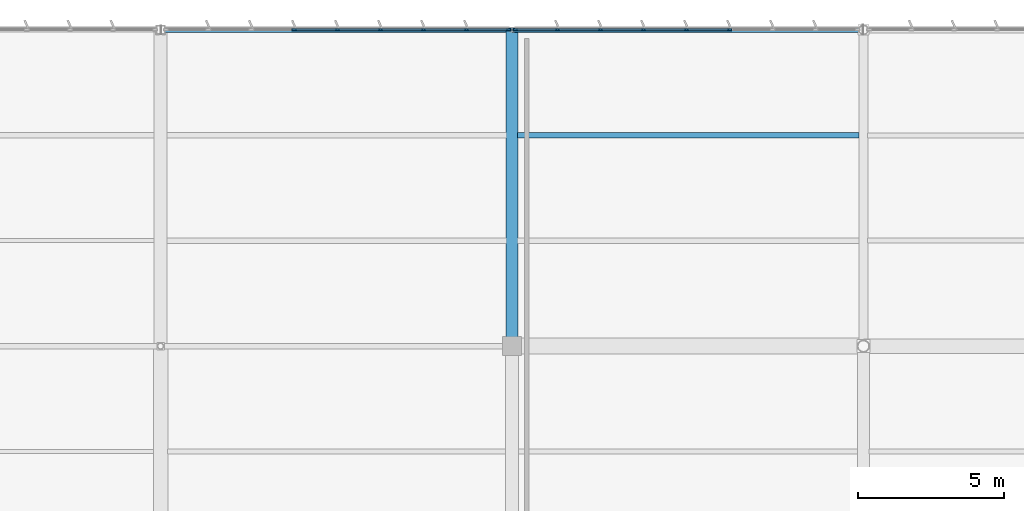
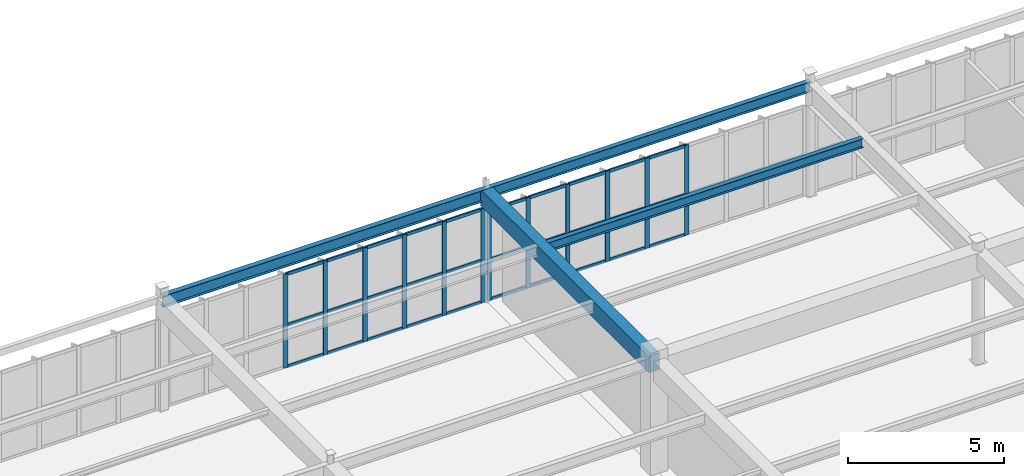
# One storey, part 131 of 226: 42 members, 4 beams, 2 elements without a shape of their own.
"""IFC4 building model written with IfcOpenShell, lengths in metres."""

from ifc_helpers import new_model, si_unit, direction, frame, origin, origin_2d, place, context, subcontext, project, spatial, rectangle, i_section, extrude, material, layer, layer_set, material_profile, profile_set, type_object, element, aggregate, save


model = new_model("IFC4")

# Units and contexts
model_context = context("Model", 3, precision=1e-05, world=origin(), true_north=direction((0.0, 1.0)))
body_context = subcontext(model_context, "Body", "Model", "MODEL_VIEW")
ifc_project = project(units=[si_unit("LENGTHUNIT", "METRE"), si_unit("AREAUNIT", "SQUARE_METRE"), si_unit("VOLUMEUNIT", "CUBIC_METRE"), si_unit("PLANEANGLEUNIT", "RADIAN"), si_unit("MASSUNIT", "GRAM", prefix="KILO")], contexts=[model_context])

# Site, building, storey
site_placement = place(None, origin())
site = spatial("IfcSite", under=ifc_project, at=site_placement, CompositionType="ELEMENT")
building_placement = place(site_placement, origin())
building = spatial("IfcBuilding", under=site, at=building_placement, Name="Tarnwether General Hospital", CompositionType="ELEMENT")
storey_placement = place(building_placement, frame((0.0, 0.0, 4.800048828125)))
storey = spatial("IfcBuildingStorey", under=building, at=storey_placement, Name="L01", CompositionType="ELEMENT", Elevation=4.800048828125)

# Beams
ifc_material_1 = material(Name="Concrete 40 MPa", Category="concrete")
ifc_material_profile_1 = material_profile(ifc_material_1, rectangle(XDim=0.39990234375, YDim=0.64990234375, at=origin_2d()), Name="RC-BM-400x650")
ifc_profile_set_1 = profile_set([ifc_material_profile_1], Name="Concrete 40 MPa")
beam_type_1 = type_object("IfcBeamType", Name="BM-G14", PredefinedType="BEAM", material=ifc_profile_set_1)
beam_1_placement = place(storey_placement, frame((168.0, 115.199951171875, 4.119873046875), z_axis=(0.0, 1.0, 0.0), x_axis=(-1.0, 0.0, 0.0)))
element("IfcBeam", 1, at=beam_1_placement, inside=storey, type_object=beam_type_1, Name="Primary Girder BMG-L01-16800_11520-16800_12600-1263", PredefinedType="BEAM", context=body_context, shape_type="SweptSolid", body=[
    extrude(rectangle(XDim=0.39990234375, YDim=0.64990234375, at=origin_2d()), origin(), (0.0, 0.0, 1.0), 10.800048828125),
])
ifc_material_2 = material(Name="Steel Grade 350 (350 MPa)", Category="steel")
ifc_material_profile_2 = material_profile(ifc_material_2, i_section(OverallWidth=0.172119140625, OverallDepth=0.35888671875, WebThickness=0.008056640625, FlangeThickness=0.012939453125, at=origin_2d()), Name="360UB56.7")
ifc_profile_set_2 = profile_set([ifc_material_profile_2], Name="Steel Grade 350 (350 MPa)")
beam_type_2 = type_object("IfcBeamType", Name="BM-J03", PredefinedType="JOIST", material=ifc_profile_set_2)
beam_2_placement = place(storey_placement, frame((168.194091796875, 122.39990234375, 4.265380859375), z_axis=(1.0, 0.0, 0.0), x_axis=(0.0, 1.0, 0.0)))
element("IfcBeam", 2, at=beam_2_placement, inside=storey, type_object=beam_type_2, Name="Composite Floor Joist BMG-L01-16819_12240-17986_12240-1424", PredefinedType="JOIST", context=body_context, shape_type="SweptSolid", body=[
    extrude(i_section(OverallWidth=0.172119140625, OverallDepth=0.35888671875, WebThickness=0.008056640625, FlangeThickness=0.012939453125, at=origin_2d()), origin(), (0.0, 0.0, 1.0), 11.661865234375),
])
ifc_material_3 = material(Name="Steel Grade 350 (350 MPa)", Category="steel")
ifc_material_profile_3 = material_profile(ifc_material_3, i_section(OverallWidth=0.18994140625, OverallDepth=0.4541015625, WebThickness=0.008544921875, FlangeThickness=0.0126953125, at=origin_2d()), Name="460UB67.1")
ifc_profile_set_3 = profile_set([ifc_material_profile_3], Name="Steel Grade 350 (350 MPa)")
beam_type_3 = type_object("IfcBeamType", Name="BM-SP1", PredefinedType="SPANDREL", material=ifc_profile_set_3)
beam_3_placement = place(storey_placement, frame((156.0, 126.0, 4.218017578125), z_axis=(1.0, 0.0, 0.0), x_axis=(0.0, 1.0, 0.0)))
element("IfcBeam", 3, at=beam_3_placement, inside=storey, type_object=beam_type_3, Name="Primary Girder BMG-L01-15600_12600-16800_12600-1248", PredefinedType="SPANDREL", context=body_context, shape_type="SweptSolid", body=[
    extrude(i_section(OverallWidth=0.18994140625, OverallDepth=0.4541015625, WebThickness=0.008544921875, FlangeThickness=0.0126953125, at=origin_2d()), origin(), (0.0, 0.0, 1.0), 12.0),
])
ifc_material_4 = material(Name="Steel Grade 350 (350 MPa)", Category="steel")
ifc_material_profile_4 = material_profile(ifc_material_4, i_section(OverallWidth=0.177978515625, OverallDepth=0.403076171875, WebThickness=0.007568359375, FlangeThickness=0.010986328125, at=origin_2d()), Name="410UB53.7")
ifc_profile_set_4 = profile_set([ifc_material_profile_4], Name="Steel Grade 350 (350 MPa)")
beam_type_4 = type_object("IfcBeamType", Name="BM-SP2", PredefinedType="SPANDREL", material=ifc_profile_set_4)
beam_4_placement = place(storey_placement, frame((168.0, 126.0, 4.243408203125), z_axis=(1.0, 0.0, 0.0), x_axis=(0.0, 1.0, 0.0)))
element("IfcBeam", 4, at=beam_4_placement, inside=storey, type_object=beam_type_4, Name="Primary Girder BMG-L01-16800_12600-18000_12600-1264", PredefinedType="SPANDREL", context=body_context, shape_type="SweptSolid", body=[
    extrude(i_section(OverallWidth=0.177978515625, OverallDepth=0.403076171875, WebThickness=0.007568359375, FlangeThickness=0.010986328125, at=origin_2d()), origin(), (0.0, 0.0, 1.0), 12.0),
])

# Curtain wall, members
ifc_material_5 = material(Name="Anodised aluminium", Category="aluminium")
ifc_layer = layer(ifc_material_5, 0.159912109375)
ifc_layer_set = layer_set([ifc_layer], Name="Anodised aluminium")
curtain_wall_type = type_object("IfcCurtainWallType", Name="CW-16", PredefinedType="NOTDEFINED", material=ifc_layer_set)
curtain_wall_1_placement = place(storey_placement, origin())
curtain_wall_1 = element("IfcCurtainWall", 5, at=curtain_wall_1_placement, inside=storey, type_object=curtain_wall_type, Name="Curtain Wall CWG-L01-1562_1260-0390", PredefinedType="NOTDEFINED")
ifc_material_6 = material(Name="Anodised aluminium", Category="aluminium")
ifc_material_profile_5 = material_profile(ifc_material_6, rectangle(XDim=0.06005859375, YDim=0.159912109375, at=origin_2d()), Name="ALU-MUL-60x160")
ifc_profile_set_5 = profile_set([ifc_material_profile_5], Name="Anodised aluminium")
member_type_1 = type_object("IfcMemberType", Name="CW-ML1", PredefinedType="MULLION", material=ifc_profile_set_5)
member_1_placement = place(storey_placement, frame((160.56689453125, 126.0, 0.0), z_axis=(0.0, 0.0, 1.0), x_axis=(0.0, 1.0, 0.0)))
member_1 = element("IfcMember", 6, at=member_1_placement, type_object=member_type_1, Name="CW-16 mullion 4", PredefinedType="MULLION", context=body_context, shape_type="SweptSolid", body=[
    extrude(rectangle(XDim=0.06005859375, YDim=0.159912109375, at=origin_2d()), origin(), (0.0, 0.0, 1.0), 3.679931640625),
])
member_2_placement = place(storey_placement, frame((162.03662109375, 126.0, 0.0), z_axis=(0.0, 0.0, 1.0), x_axis=(0.0, 1.0, 0.0)))
member_2 = element("IfcMember", 7, at=member_2_placement, type_object=member_type_1, Name="CW-16 mullion 5", PredefinedType="MULLION", context=body_context, shape_type="SweptSolid", body=[
    extrude(rectangle(XDim=0.06005859375, YDim=0.159912109375, at=origin_2d()), origin(), (0.0, 0.0, 1.0), 3.679931640625),
])
member_3_placement = place(storey_placement, frame((163.506103515625, 126.0, 0.0), z_axis=(0.0, 0.0, 1.0), x_axis=(0.0, 1.0, 0.0)))
member_3 = element("IfcMember", 8, at=member_3_placement, type_object=member_type_1, Name="CW-16 mullion 6", PredefinedType="MULLION", context=body_context, shape_type="SweptSolid", body=[
    extrude(rectangle(XDim=0.06005859375, YDim=0.159912109375, at=origin_2d()), origin(), (0.0, 0.0, 1.0), 3.679931640625),
])
member_4_placement = place(storey_placement, frame((164.975830078125, 126.0, 0.0), z_axis=(0.0, 0.0, 1.0), x_axis=(0.0, 1.0, 0.0)))
member_4 = element("IfcMember", 9, at=member_4_placement, type_object=member_type_1, Name="CW-16 mullion 7", PredefinedType="MULLION", context=body_context, shape_type="SweptSolid", body=[
    extrude(rectangle(XDim=0.06005859375, YDim=0.159912109375, at=origin_2d()), origin(), (0.0, 0.0, 1.0), 3.679931640625),
])
member_5_placement = place(storey_placement, frame((166.4453125, 126.0, 0.0), z_axis=(0.0, 0.0, 1.0), x_axis=(0.0, 1.0, 0.0)))
member_5 = element("IfcMember", 10, at=member_5_placement, type_object=member_type_1, Name="CW-16 mullion 8", PredefinedType="MULLION", context=body_context, shape_type="SweptSolid", body=[
    extrude(rectangle(XDim=0.06005859375, YDim=0.159912109375, at=origin_2d()), origin(), (0.0, 0.0, 1.0), 3.679931640625),
])
member_6_placement = place(storey_placement, frame((167.885009765625, 126.0, 0.0), z_axis=(0.0, 0.0, 1.0), x_axis=(0.0, 1.0, 0.0)))
member_6 = element("IfcMember", 11, at=member_6_placement, type_object=member_type_1, Name="CW-16 mullion 9", PredefinedType="MULLION", context=body_context, shape_type="SweptSolid", body=[
    extrude(rectangle(XDim=0.06005859375, YDim=0.159912109375, at=origin_2d()), origin(), (0.0, 0.0, 1.0), 3.679931640625),
])

curtain_wall_2_placement = place(storey_placement, origin())
curtain_wall_2 = element("IfcCurtainWall", 12, at=curtain_wall_2_placement, inside=storey, type_object=curtain_wall_type, Name="Curtain Wall CWG-L01-1681_1260-0391", PredefinedType="NOTDEFINED")
member_7_placement = place(storey_placement, frame((168.114990234375, 126.0, 0.0), z_axis=(0.0, 0.0, 1.0), x_axis=(0.0, 1.0, 0.0)))
member_7 = element("IfcMember", 13, at=member_7_placement, type_object=member_type_1, Name="CW-16 mullion 1", PredefinedType="MULLION", context=body_context, shape_type="SweptSolid", body=[
    extrude(rectangle(XDim=0.06005859375, YDim=0.159912109375, at=origin_2d()), origin(), (0.0, 0.0, 1.0), 3.530029296875),
])
member_8_placement = place(storey_placement, frame((169.55322265625, 126.0, 0.0), z_axis=(0.0, 0.0, 1.0), x_axis=(0.0, 1.0, 0.0)))
member_8 = element("IfcMember", 14, at=member_8_placement, type_object=member_type_1, Name="CW-16 mullion 2", PredefinedType="MULLION", context=body_context, shape_type="SweptSolid", body=[
    extrude(rectangle(XDim=0.06005859375, YDim=0.159912109375, at=origin_2d()), origin(), (0.0, 0.0, 1.0), 3.530029296875),
])
member_9_placement = place(storey_placement, frame((171.021240234375, 126.0, 0.0), z_axis=(0.0, 0.0, 1.0), x_axis=(0.0, 1.0, 0.0)))
member_9 = element("IfcMember", 15, at=member_9_placement, type_object=member_type_1, Name="CW-16 mullion 3", PredefinedType="MULLION", context=body_context, shape_type="SweptSolid", body=[
    extrude(rectangle(XDim=0.06005859375, YDim=0.159912109375, at=origin_2d()), origin(), (0.0, 0.0, 1.0), 3.530029296875),
])
member_10_placement = place(storey_placement, frame((172.4892578125, 126.0, 0.0), z_axis=(0.0, 0.0, 1.0), x_axis=(0.0, 1.0, 0.0)))
member_10 = element("IfcMember", 16, at=member_10_placement, type_object=member_type_1, Name="CW-16 mullion 4", PredefinedType="MULLION", context=body_context, shape_type="SweptSolid", body=[
    extrude(rectangle(XDim=0.06005859375, YDim=0.159912109375, at=origin_2d()), origin(), (0.0, 0.0, 1.0), 3.530029296875),
])
member_11_placement = place(storey_placement, frame((173.95751953125, 126.0, 0.0), z_axis=(0.0, 0.0, 1.0), x_axis=(0.0, 1.0, 0.0)))
member_11 = element("IfcMember", 17, at=member_11_placement, type_object=member_type_1, Name="CW-16 mullion 5", PredefinedType="MULLION", context=body_context, shape_type="SweptSolid", body=[
    extrude(rectangle(XDim=0.06005859375, YDim=0.159912109375, at=origin_2d()), origin(), (0.0, 0.0, 1.0), 3.530029296875),
])
member_12_placement = place(storey_placement, frame((175.425537109375, 126.0, 0.0), z_axis=(0.0, 0.0, 1.0), x_axis=(0.0, 1.0, 0.0)))
member_12 = element("IfcMember", 18, at=member_12_placement, type_object=member_type_1, Name="CW-16 mullion 6", PredefinedType="MULLION", context=body_context, shape_type="SweptSolid", body=[
    extrude(rectangle(XDim=0.06005859375, YDim=0.159912109375, at=origin_2d()), origin(), (0.0, 0.0, 1.0), 3.530029296875),
])

# Member
ifc_material_7 = material(Name="Anodised aluminium", Category="aluminium")
ifc_material_profile_6 = material_profile(ifc_material_7, rectangle(XDim=0.06005859375, YDim=0.1201171875, at=origin_2d()), Name="ALU-TRN-60x120")
ifc_profile_set_6 = profile_set([ifc_material_profile_6], Name="Anodised aluminium")
member_type_2 = type_object("IfcMemberType", Name="CW-TR1", PredefinedType="USERDEFINED", material=ifc_profile_set_6)
member_13_placement = place(storey_placement, frame((160.596923828125, 126.0, 0.030029296875), z_axis=(1.0, 0.0, 0.0), x_axis=(0.0, 1.0, 0.0)))
member_13 = element("IfcMember", 19, at=member_13_placement, type_object=member_type_2, Name="CW-16 transom 4.1", ObjectType="TRANSOM", PredefinedType="USERDEFINED", context=body_context, shape_type="SweptSolid", body=[
    extrude(rectangle(XDim=0.06005859375, YDim=0.1201171875, at=origin_2d()), origin(), (0.0, 0.0, 1.0), 1.40966796875),
])

member_14_placement = place(storey_placement, frame((160.596923828125, 126.0, 1.656005859375), z_axis=(1.0, 0.0, 0.0), x_axis=(0.0, 1.0, 0.0)))
member_14 = element("IfcMember", 20, at=member_14_placement, type_object=member_type_2, Name="CW-16 transom 4.2", ObjectType="TRANSOM", PredefinedType="USERDEFINED", context=body_context, shape_type="SweptSolid", body=[
    extrude(rectangle(XDim=0.06005859375, YDim=0.1201171875, at=origin_2d()), origin(), (0.0, 0.0, 1.0), 1.40966796875),
])

member_15_placement = place(storey_placement, frame((160.596923828125, 126.0, 3.64990234375), z_axis=(1.0, 0.0, 0.0), x_axis=(0.0, 1.0, 0.0)))
member_15 = element("IfcMember", 21, at=member_15_placement, type_object=member_type_2, Name="CW-16 transom 4.3", ObjectType="TRANSOM", PredefinedType="USERDEFINED", context=body_context, shape_type="SweptSolid", body=[
    extrude(rectangle(XDim=0.06005859375, YDim=0.1201171875, at=origin_2d()), origin(), (0.0, 0.0, 1.0), 1.40966796875),
])

member_16_placement = place(storey_placement, frame((162.06640625, 126.0, 0.030029296875), z_axis=(1.0, 0.0, 0.0), x_axis=(0.0, 1.0, 0.0)))
member_16 = element("IfcMember", 22, at=member_16_placement, type_object=member_type_2, Name="CW-16 transom 5.1", ObjectType="TRANSOM", PredefinedType="USERDEFINED", context=body_context, shape_type="SweptSolid", body=[
    extrude(rectangle(XDim=0.06005859375, YDim=0.1201171875, at=origin_2d()), origin(), (0.0, 0.0, 1.0), 1.40966796875),
])

member_17_placement = place(storey_placement, frame((162.06640625, 126.0, 1.656005859375), z_axis=(1.0, 0.0, 0.0), x_axis=(0.0, 1.0, 0.0)))
member_17 = element("IfcMember", 23, at=member_17_placement, type_object=member_type_2, Name="CW-16 transom 5.2", ObjectType="TRANSOM", PredefinedType="USERDEFINED", context=body_context, shape_type="SweptSolid", body=[
    extrude(rectangle(XDim=0.06005859375, YDim=0.1201171875, at=origin_2d()), origin(), (0.0, 0.0, 1.0), 1.40966796875),
])

member_18_placement = place(storey_placement, frame((162.06640625, 126.0, 3.64990234375), z_axis=(1.0, 0.0, 0.0), x_axis=(0.0, 1.0, 0.0)))
member_18 = element("IfcMember", 24, at=member_18_placement, type_object=member_type_2, Name="CW-16 transom 5.3", ObjectType="TRANSOM", PredefinedType="USERDEFINED", context=body_context, shape_type="SweptSolid", body=[
    extrude(rectangle(XDim=0.06005859375, YDim=0.1201171875, at=origin_2d()), origin(), (0.0, 0.0, 1.0), 1.40966796875),
])

member_19_placement = place(storey_placement, frame((163.5361328125, 126.0, 0.030029296875), z_axis=(1.0, 0.0, 0.0), x_axis=(0.0, 1.0, 0.0)))
member_19 = element("IfcMember", 25, at=member_19_placement, type_object=member_type_2, Name="CW-16 transom 6.1", ObjectType="TRANSOM", PredefinedType="USERDEFINED", context=body_context, shape_type="SweptSolid", body=[
    extrude(rectangle(XDim=0.06005859375, YDim=0.1201171875, at=origin_2d()), origin(), (0.0, 0.0, 1.0), 1.40966796875),
])

member_20_placement = place(storey_placement, frame((163.5361328125, 126.0, 1.656005859375), z_axis=(1.0, 0.0, 0.0), x_axis=(0.0, 1.0, 0.0)))
member_20 = element("IfcMember", 26, at=member_20_placement, type_object=member_type_2, Name="CW-16 transom 6.2", ObjectType="TRANSOM", PredefinedType="USERDEFINED", context=body_context, shape_type="SweptSolid", body=[
    extrude(rectangle(XDim=0.06005859375, YDim=0.1201171875, at=origin_2d()), origin(), (0.0, 0.0, 1.0), 1.40966796875),
])

member_21_placement = place(storey_placement, frame((163.5361328125, 126.0, 3.64990234375), z_axis=(1.0, 0.0, 0.0), x_axis=(0.0, 1.0, 0.0)))
member_21 = element("IfcMember", 27, at=member_21_placement, type_object=member_type_2, Name="CW-16 transom 6.3", ObjectType="TRANSOM", PredefinedType="USERDEFINED", context=body_context, shape_type="SweptSolid", body=[
    extrude(rectangle(XDim=0.06005859375, YDim=0.1201171875, at=origin_2d()), origin(), (0.0, 0.0, 1.0), 1.40966796875),
])

member_22_placement = place(storey_placement, frame((165.005859375, 126.0, 0.030029296875), z_axis=(1.0, 0.0, 0.0), x_axis=(0.0, 1.0, 0.0)))
member_22 = element("IfcMember", 28, at=member_22_placement, type_object=member_type_2, Name="CW-16 transom 7.1", ObjectType="TRANSOM", PredefinedType="USERDEFINED", context=body_context, shape_type="SweptSolid", body=[
    extrude(rectangle(XDim=0.06005859375, YDim=0.1201171875, at=origin_2d()), origin(), (0.0, 0.0, 1.0), 1.409423828125),
])

member_23_placement = place(storey_placement, frame((165.005859375, 126.0, 1.656005859375), z_axis=(1.0, 0.0, 0.0), x_axis=(0.0, 1.0, 0.0)))
member_23 = element("IfcMember", 29, at=member_23_placement, type_object=member_type_2, Name="CW-16 transom 7.2", ObjectType="TRANSOM", PredefinedType="USERDEFINED", context=body_context, shape_type="SweptSolid", body=[
    extrude(rectangle(XDim=0.06005859375, YDim=0.1201171875, at=origin_2d()), origin(), (0.0, 0.0, 1.0), 1.409423828125),
])

member_24_placement = place(storey_placement, frame((165.005859375, 126.0, 3.64990234375), z_axis=(1.0, 0.0, 0.0), x_axis=(0.0, 1.0, 0.0)))
member_24 = element("IfcMember", 30, at=member_24_placement, type_object=member_type_2, Name="CW-16 transom 7.3", ObjectType="TRANSOM", PredefinedType="USERDEFINED", context=body_context, shape_type="SweptSolid", body=[
    extrude(rectangle(XDim=0.06005859375, YDim=0.1201171875, at=origin_2d()), origin(), (0.0, 0.0, 1.0), 1.409423828125),
])

member_25_placement = place(storey_placement, frame((166.475341796875, 126.0, 0.030029296875), z_axis=(1.0, 0.0, 0.0), x_axis=(0.0, 1.0, 0.0)))
member_25 = element("IfcMember", 31, at=member_25_placement, type_object=member_type_2, Name="CW-16 transom 8.1", ObjectType="TRANSOM", PredefinedType="USERDEFINED", context=body_context, shape_type="SweptSolid", body=[
    extrude(rectangle(XDim=0.06005859375, YDim=0.1201171875, at=origin_2d()), origin(), (0.0, 0.0, 1.0), 1.379638671875),
])

member_26_placement = place(storey_placement, frame((166.475341796875, 126.0, 1.656005859375), z_axis=(1.0, 0.0, 0.0), x_axis=(0.0, 1.0, 0.0)))
member_26 = element("IfcMember", 32, at=member_26_placement, type_object=member_type_2, Name="CW-16 transom 8.2", ObjectType="TRANSOM", PredefinedType="USERDEFINED", context=body_context, shape_type="SweptSolid", body=[
    extrude(rectangle(XDim=0.06005859375, YDim=0.1201171875, at=origin_2d()), origin(), (0.0, 0.0, 1.0), 1.379638671875),
])

member_27_placement = place(storey_placement, frame((166.475341796875, 126.0, 3.64990234375), z_axis=(1.0, 0.0, 0.0), x_axis=(0.0, 1.0, 0.0)))
member_27 = element("IfcMember", 33, at=member_27_placement, type_object=member_type_2, Name="CW-16 transom 8.3", ObjectType="TRANSOM", PredefinedType="USERDEFINED", context=body_context, shape_type="SweptSolid", body=[
    extrude(rectangle(XDim=0.06005859375, YDim=0.1201171875, at=origin_2d()), origin(), (0.0, 0.0, 1.0), 1.379638671875),
])

aggregate(curtain_wall_1, [member_1, member_2, member_3, member_4, member_5, member_6, member_13, member_14, member_15, member_16, member_17, member_18, member_19, member_20, member_21, member_22, member_23, member_24, member_25, member_26, member_27])

member_28_placement = place(storey_placement, frame((168.14501953125, 126.0, 0.030029296875), z_axis=(1.0, 0.0, 0.0), x_axis=(0.0, 1.0, 0.0)))
member_28 = element("IfcMember", 34, at=member_28_placement, type_object=member_type_2, Name="CW-16 transom 1.1", ObjectType="TRANSOM", PredefinedType="USERDEFINED", context=body_context, shape_type="SweptSolid", body=[
    extrude(rectangle(XDim=0.06005859375, YDim=0.1201171875, at=origin_2d()), origin(), (0.0, 0.0, 1.0), 1.378173828125),
])

member_29_placement = place(storey_placement, frame((168.14501953125, 126.0, 1.58837890625), z_axis=(1.0, 0.0, 0.0), x_axis=(0.0, 1.0, 0.0)))
member_29 = element("IfcMember", 35, at=member_29_placement, type_object=member_type_2, Name="CW-16 transom 1.2", ObjectType="TRANSOM", PredefinedType="USERDEFINED", context=body_context, shape_type="SweptSolid", body=[
    extrude(rectangle(XDim=0.06005859375, YDim=0.1201171875, at=origin_2d()), origin(), (0.0, 0.0, 1.0), 1.378173828125),
])

member_30_placement = place(storey_placement, frame((168.14501953125, 126.0, 3.5), z_axis=(1.0, 0.0, 0.0), x_axis=(0.0, 1.0, 0.0)))
member_30 = element("IfcMember", 36, at=member_30_placement, type_object=member_type_2, Name="CW-16 transom 1.3", ObjectType="TRANSOM", PredefinedType="USERDEFINED", context=body_context, shape_type="SweptSolid", body=[
    extrude(rectangle(XDim=0.06005859375, YDim=0.1201171875, at=origin_2d()), origin(), (0.0, 0.0, 1.0), 1.378173828125),
])

member_31_placement = place(storey_placement, frame((169.5830078125, 126.0, 0.030029296875), z_axis=(1.0, 0.0, 0.0), x_axis=(0.0, 1.0, 0.0)))
member_31 = element("IfcMember", 37, at=member_31_placement, type_object=member_type_2, Name="CW-16 transom 2.1", ObjectType="TRANSOM", PredefinedType="USERDEFINED", context=body_context, shape_type="SweptSolid", body=[
    extrude(rectangle(XDim=0.06005859375, YDim=0.1201171875, at=origin_2d()), origin(), (0.0, 0.0, 1.0), 1.408203125),
])

member_32_placement = place(storey_placement, frame((169.5830078125, 126.0, 1.58837890625), z_axis=(1.0, 0.0, 0.0), x_axis=(0.0, 1.0, 0.0)))
member_32 = element("IfcMember", 38, at=member_32_placement, type_object=member_type_2, Name="CW-16 transom 2.2", ObjectType="TRANSOM", PredefinedType="USERDEFINED", context=body_context, shape_type="SweptSolid", body=[
    extrude(rectangle(XDim=0.06005859375, YDim=0.1201171875, at=origin_2d()), origin(), (0.0, 0.0, 1.0), 1.408203125),
])

member_33_placement = place(storey_placement, frame((169.5830078125, 126.0, 3.5), z_axis=(1.0, 0.0, 0.0), x_axis=(0.0, 1.0, 0.0)))
member_33 = element("IfcMember", 39, at=member_33_placement, type_object=member_type_2, Name="CW-16 transom 2.3", ObjectType="TRANSOM", PredefinedType="USERDEFINED", context=body_context, shape_type="SweptSolid", body=[
    extrude(rectangle(XDim=0.06005859375, YDim=0.1201171875, at=origin_2d()), origin(), (0.0, 0.0, 1.0), 1.408203125),
])

member_34_placement = place(storey_placement, frame((171.05126953125, 126.0, 0.030029296875), z_axis=(1.0, 0.0, 0.0), x_axis=(0.0, 1.0, 0.0)))
member_34 = element("IfcMember", 40, at=member_34_placement, type_object=member_type_2, Name="CW-16 transom 3.1", ObjectType="TRANSOM", PredefinedType="USERDEFINED", context=body_context, shape_type="SweptSolid", body=[
    extrude(rectangle(XDim=0.06005859375, YDim=0.1201171875, at=origin_2d()), origin(), (0.0, 0.0, 1.0), 1.408203125),
])

member_35_placement = place(storey_placement, frame((171.05126953125, 126.0, 1.58837890625), z_axis=(1.0, 0.0, 0.0), x_axis=(0.0, 1.0, 0.0)))
member_35 = element("IfcMember", 41, at=member_35_placement, type_object=member_type_2, Name="CW-16 transom 3.2", ObjectType="TRANSOM", PredefinedType="USERDEFINED", context=body_context, shape_type="SweptSolid", body=[
    extrude(rectangle(XDim=0.06005859375, YDim=0.1201171875, at=origin_2d()), origin(), (0.0, 0.0, 1.0), 1.408203125),
])

member_36_placement = place(storey_placement, frame((171.05126953125, 126.0, 3.5), z_axis=(1.0, 0.0, 0.0), x_axis=(0.0, 1.0, 0.0)))
member_36 = element("IfcMember", 42, at=member_36_placement, type_object=member_type_2, Name="CW-16 transom 3.3", ObjectType="TRANSOM", PredefinedType="USERDEFINED", context=body_context, shape_type="SweptSolid", body=[
    extrude(rectangle(XDim=0.06005859375, YDim=0.1201171875, at=origin_2d()), origin(), (0.0, 0.0, 1.0), 1.408203125),
])

member_37_placement = place(storey_placement, frame((172.519287109375, 126.0, 0.030029296875), z_axis=(1.0, 0.0, 0.0), x_axis=(0.0, 1.0, 0.0)))
member_37 = element("IfcMember", 43, at=member_37_placement, type_object=member_type_2, Name="CW-16 transom 4.1", ObjectType="TRANSOM", PredefinedType="USERDEFINED", context=body_context, shape_type="SweptSolid", body=[
    extrude(rectangle(XDim=0.06005859375, YDim=0.1201171875, at=origin_2d()), origin(), (0.0, 0.0, 1.0), 1.408203125),
])

member_38_placement = place(storey_placement, frame((172.519287109375, 126.0, 1.58837890625), z_axis=(1.0, 0.0, 0.0), x_axis=(0.0, 1.0, 0.0)))
member_38 = element("IfcMember", 44, at=member_38_placement, type_object=member_type_2, Name="CW-16 transom 4.2", ObjectType="TRANSOM", PredefinedType="USERDEFINED", context=body_context, shape_type="SweptSolid", body=[
    extrude(rectangle(XDim=0.06005859375, YDim=0.1201171875, at=origin_2d()), origin(), (0.0, 0.0, 1.0), 1.408203125),
])

member_39_placement = place(storey_placement, frame((172.519287109375, 126.0, 3.5), z_axis=(1.0, 0.0, 0.0), x_axis=(0.0, 1.0, 0.0)))
member_39 = element("IfcMember", 45, at=member_39_placement, type_object=member_type_2, Name="CW-16 transom 4.3", ObjectType="TRANSOM", PredefinedType="USERDEFINED", context=body_context, shape_type="SweptSolid", body=[
    extrude(rectangle(XDim=0.06005859375, YDim=0.1201171875, at=origin_2d()), origin(), (0.0, 0.0, 1.0), 1.408203125),
])

member_40_placement = place(storey_placement, frame((173.987548828125, 126.0, 0.030029296875), z_axis=(1.0, 0.0, 0.0), x_axis=(0.0, 1.0, 0.0)))
member_40 = element("IfcMember", 46, at=member_40_placement, type_object=member_type_2, Name="CW-16 transom 5.1", ObjectType="TRANSOM", PredefinedType="USERDEFINED", context=body_context, shape_type="SweptSolid", body=[
    extrude(rectangle(XDim=0.06005859375, YDim=0.1201171875, at=origin_2d()), origin(), (0.0, 0.0, 1.0), 1.407958984375),
])

member_41_placement = place(storey_placement, frame((173.987548828125, 126.0, 1.58837890625), z_axis=(1.0, 0.0, 0.0), x_axis=(0.0, 1.0, 0.0)))
member_41 = element("IfcMember", 47, at=member_41_placement, type_object=member_type_2, Name="CW-16 transom 5.2", ObjectType="TRANSOM", PredefinedType="USERDEFINED", context=body_context, shape_type="SweptSolid", body=[
    extrude(rectangle(XDim=0.06005859375, YDim=0.1201171875, at=origin_2d()), origin(), (0.0, 0.0, 1.0), 1.407958984375),
])

member_42_placement = place(storey_placement, frame((173.987548828125, 126.0, 3.5), z_axis=(1.0, 0.0, 0.0), x_axis=(0.0, 1.0, 0.0)))
member_42 = element("IfcMember", 48, at=member_42_placement, type_object=member_type_2, Name="CW-16 transom 5.3", ObjectType="TRANSOM", PredefinedType="USERDEFINED", context=body_context, shape_type="SweptSolid", body=[
    extrude(rectangle(XDim=0.06005859375, YDim=0.1201171875, at=origin_2d()), origin(), (0.0, 0.0, 1.0), 1.407958984375),
])

aggregate(curtain_wall_2, [member_7, member_8, member_9, member_10, member_11, member_12, member_28, member_29, member_30, member_31, member_32, member_33, member_34, member_35, member_36, member_37, member_38, member_39, member_40, member_41, member_42])

save(model, "model.ifc")
